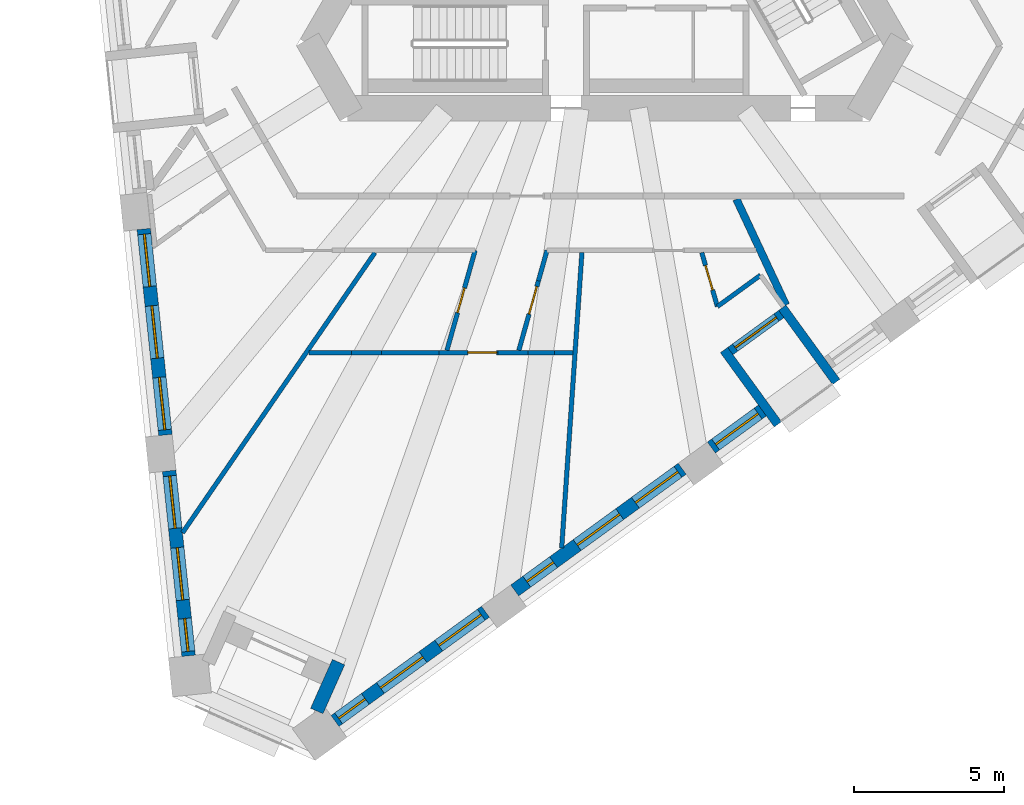
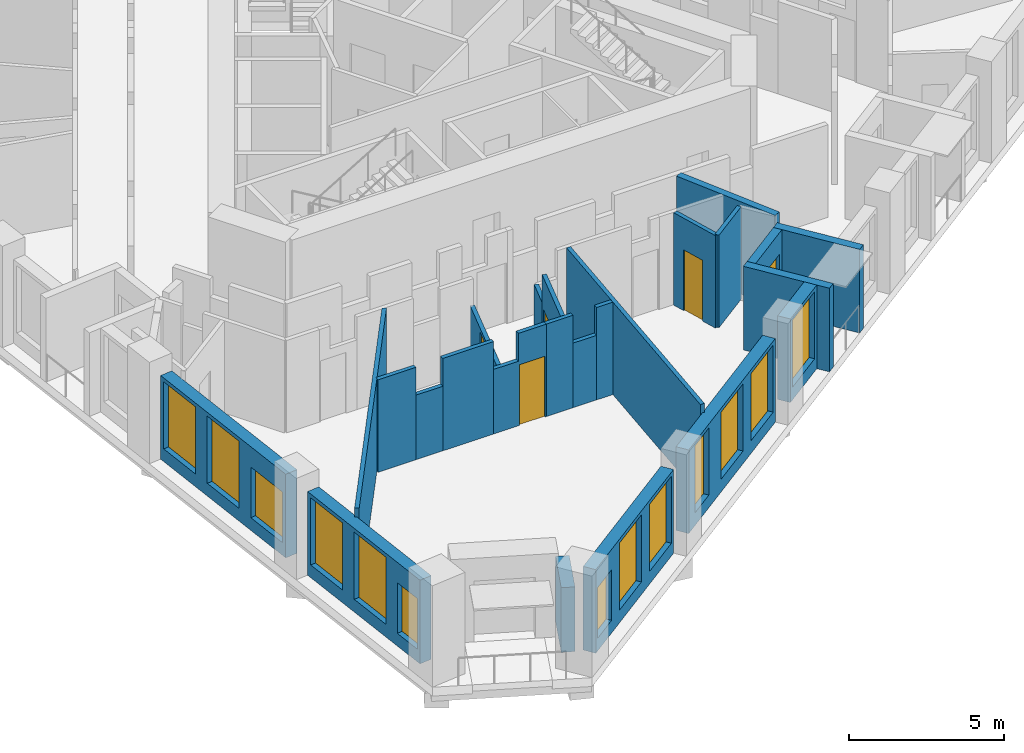
# One storey, part 2 of 14: 24 walls, 13 windows, 5 doors, 18 openings.
"""IFC4 building model written with IfcOpenShell, lengths in metres."""

import ifcopenshell
import ifcopenshell.guid

model = None  # the IFC model being written
_history = None  # IfcOwnerHistory: only IFC2X3 demands one
_inside = {}  # id of a spatial element -> (the spatial element, [elements in it])
_under = {}  # id of a project, library or spatial element -> (it, [spatial elements below it])
_declared = {}  # id of a project -> (the project, [libraries it declares])
_typed = {}  # id of a type object -> (the type object, [elements of that type])
_made_of = {}  # id of a material, layer set ... -> (it, [elements and type objects made of it])


def new_model(schema):
    """Start an empty IFC model of exactly this schema.

    Asked for "IFC4X3", IfcOpenShell would pick the latest addendum, in which some entities
    have other attributes; the version numbers below select the first issue.
    IFC2X3 requires an IfcOwnerHistory on every rooted entity: one is made here for all.
    """
    global model, _history
    if schema == "IFC4X3":
        model = ifcopenshell.file(schema_version=(4, 3, 0, 0))
    else:
        model = ifcopenshell.file(schema=schema)
    _inside.clear()
    _under.clear()
    _declared.clear()
    _typed.clear()
    _made_of.clear()
    _history = None
    if model.schema == "IFC2X3":
        org = make("IfcOrganization", Name="unknown")
        user = make(
            "IfcPersonAndOrganization",
            ThePerson=make("IfcPerson", FamilyName="unknown"),
            TheOrganization=org,
        )
        app = make(
            "IfcApplication",
            ApplicationDeveloper=org,
            Version="unknown",
            ApplicationFullName="unknown",
            ApplicationIdentifier="unknown",
        )
        _history = make(
            "IfcOwnerHistory",
            OwningUser=user,
            OwningApplication=app,
            ChangeAction="ADDED",
            CreationDate=0,
        )
    return model


def make(cls, **values):
    """One entity of the class cls with the attributes given. An attribute that is None is left unset."""
    return model.create_entity(
        cls, **{name: value for name, value in values.items() if value is not None}
    )


def rooted(cls, **values):
    """An entity with a GlobalId (a new one), such as an element, a storey or a relation."""
    return make(cls, GlobalId=ifcopenshell.guid.new(), OwnerHistory=_history, **values)


def si_unit(unit_type, name, prefix=None):
    """IfcSIUnit, for example si_unit("LENGTHUNIT", "METRE", prefix="MILLI")."""
    return make("IfcSIUnit", UnitType=unit_type, Prefix=prefix, Name=name)


def assignment(units):
    """IfcUnitAssignment: the units of a project."""
    return None if units is None else make("IfcUnitAssignment", Units=units)


def point(xyz):
    """IfcCartesianPoint."""
    return None if xyz is None else make("IfcCartesianPoint", Coordinates=xyz)


def direction(xyz):
    """IfcDirection."""
    return None if xyz is None else make("IfcDirection", DirectionRatios=xyz)


def frame(location, z_axis=None, x_axis=None):
    """IfcAxis2Placement3D, a coordinate frame: its origin and axes. An axis left out is left unset."""
    return make(
        "IfcAxis2Placement3D",
        Location=point(location),
        Axis=direction(z_axis),
        RefDirection=direction(x_axis),
    )


def frame_2d(location, x_axis=None):
    """IfcAxis2Placement2D, a coordinate frame in the plane: its origin and x axis."""
    return make(
        "IfcAxis2Placement2D", Location=point(location), RefDirection=direction(x_axis)
    )


def origin():
    """The frame at (0, 0, 0) with its axes left unset."""
    return frame((0.0, 0.0, 0.0))


def place(relative_to, where):
    """IfcLocalPlacement: puts the frame where relative to a parent placement (None: the world)."""
    return make(
        "IfcLocalPlacement", PlacementRelTo=relative_to, RelativePlacement=where
    )


def context(
    kind, dimensions, precision=None, world=None, true_north=None, identifier=None
):
    """IfcGeometricRepresentationContext, for example the 3D "Model" context."""
    return make(
        "IfcGeometricRepresentationContext",
        ContextIdentifier=identifier,
        ContextType=kind,
        CoordinateSpaceDimension=dimensions,
        Precision=precision,
        WorldCoordinateSystem=world,
        TrueNorth=true_north,
    )


def subcontext(parent, identifier, kind, view, scale=None):
    """IfcGeometricRepresentationSubContext, for example "Body" below "Model"."""
    return make(
        "IfcGeometricRepresentationSubContext",
        ContextIdentifier=identifier,
        ContextType=kind,
        ParentContext=parent,
        TargetScale=scale,
        TargetView=view,
    )


def project(units=None, contexts=None):
    """IfcProject with its units and contexts."""
    return rooted(
        "IfcProject",
        Name="project",
        RepresentationContexts=contexts,
        UnitsInContext=assignment(units),
    )


def spatial(cls, under=None, at=None, **own):
    """A site, building, storey or space (cls), placed at a placement, below another one or the project."""
    s = rooted(cls, ObjectPlacement=at, **own)
    if under is not None:
        _under.setdefault(under.id(), (under, []))[1].append(s)
    return s


def polyline(points):
    """IfcPolyline through the points."""
    return make("IfcPolyline", Points=[point(p) for p in points])


def profile(cls, at=None, kind="AREA", **sizes):
    """A parametric profile (cls). Its sizes go by their IFC names, for example OverallWidth=200.0."""
    return make(cls, ProfileType=kind, Position=at, **sizes)


def rectangle(**sizes):
    """IfcRectangleProfileDef."""
    return profile("IfcRectangleProfileDef", **sizes)


def outline(outer, holes=None, kind="AREA"):
    """IfcArbitraryClosedProfileDef: a profile drawn as a closed curve; with holes, ...WithVoids."""
    if holes is None:
        return make("IfcArbitraryClosedProfileDef", ProfileType=kind, OuterCurve=outer)
    return make(
        "IfcArbitraryProfileDefWithVoids",
        ProfileType=kind,
        OuterCurve=outer,
        InnerCurves=holes,
    )


def extrude(swept, where, along, depth):
    """IfcExtrudedAreaSolid: the profile swept, set in the frame where, extruded along a direction by depth."""
    return make(
        "IfcExtrudedAreaSolid",
        SweptArea=swept,
        Position=where,
        ExtrudedDirection=direction(along),
        Depth=depth,
    )


def shape(context_of_items, identifier, shape_type, items):
    """IfcShapeRepresentation: the items that make up one representation, for example the "Body"."""
    return make(
        "IfcShapeRepresentation",
        ContextOfItems=context_of_items,
        RepresentationIdentifier=identifier,
        RepresentationType=shape_type,
        Items=items,
    )


def material(Name=None, Category=None):
    """IfcMaterial."""
    return make("IfcMaterial", Name=Name, Category=Category)


def layer(
    of_material, thickness, ventilated=None, Name=None, Category=None, Priority=None
):
    """IfcMaterialLayer: one layer of a wall or slab, of a material (None: an air gap)."""
    return make(
        "IfcMaterialLayer",
        Material=of_material,
        LayerThickness=thickness,
        IsVentilated=ventilated,
        Name=Name,
        Category=Category,
        Priority=Priority,
    )


def layer_set(layers, Name=None):
    """IfcMaterialLayerSet."""
    return make("IfcMaterialLayerSet", MaterialLayers=layers, LayerSetName=Name)


def made_of(thing, what):
    """Note that an element or type object is made of a material, layer set ...; save() writes the relation."""
    if what is not None:
        _made_of.setdefault(what.id(), (what, []))[1].append(thing)
    return thing


def type_object(cls, material=None, **own):
    """A type object (cls), such as IfcWallType, which elements share."""
    return made_of(rooted(cls, **own), material)


def element(
    cls,
    number,
    at=None,
    inside=None,
    cuts=None,
    type_object=None,
    material=None,
    context=None,
    identifier="Body",
    shape_type=None,
    held_by="IfcProductDefinitionShape",
    body=None,
    shapes=None,
    **own,
):
    """One element of the class cls, such as IfcWall. Its Tag is "e" and its number.

    at: its placement. inside: the storey or other place that contains it. cuts: it is an
    opening in that element (IfcRelVoidsElement). A single representation is given by context,
    identifier, shape_type and body (its items); several are given by shapes. held_by: the class
    of the entity that holds the representations. save() writes the other relations.
    """
    e = rooted(cls, Tag="e%d" % number, ObjectPlacement=at, **own)
    if body is not None:
        shapes = [shape(context, identifier, shape_type, body)]
    if shapes is not None:
        e.Representation = make(held_by, Representations=shapes)
    if inside is not None:
        _inside.setdefault(inside.id(), (inside, []))[1].append(e)
    if cuts is not None:
        rooted(
            "IfcRelVoidsElement", RelatingBuildingElement=cuts, RelatedOpeningElement=e
        )
    if type_object is not None:
        _typed.setdefault(type_object.id(), (type_object, []))[1].append(e)
    return made_of(e, material)


def fill(opening, filler):
    """IfcRelFillsElement: the door or window that sits in an opening."""
    return rooted(
        "IfcRelFillsElement",
        RelatingOpeningElement=opening,
        RelatedBuildingElement=filler,
    )


def aggregate(whole, parts):
    """IfcRelAggregates: a whole, such as a stair, and the parts it consists of."""
    return rooted("IfcRelAggregates", RelatingObject=whole, RelatedObjects=parts)


def save(model, path):
    """Write the relations noted so far, then the file.

    IfcRelAggregates (storeys below a building ...), IfcRelContainedInSpatialStructure (elements
    in a storey), IfcRelDefinesByType, IfcRelAssociatesMaterial and IfcRelDeclares: one each for
    every whole, place, type object, material and project.
    """
    for whole, parts in _under.values():
        aggregate(whole, parts)
    for where, things in _inside.values():
        rooted(
            "IfcRelContainedInSpatialStructure",
            RelatedElements=things,
            RelatingStructure=where,
        )
    for kind, things in _typed.values():
        rooted("IfcRelDefinesByType", RelatedObjects=things, RelatingType=kind)
    for what, things in _made_of.values():
        rooted("IfcRelAssociatesMaterial", RelatedObjects=things, RelatingMaterial=what)
    for by, libraries in _declared.values():
        rooted("IfcRelDeclares", RelatingContext=by, RelatedDefinitions=libraries)
    model.write(path)


model = new_model("IFC4")

# Units and contexts
model_context = context("Model", 3, precision=1e-05, world=origin(), true_north=direction((0.0, 1.0)))
body_context = subcontext(model_context, "Body", "Model", "MODEL_VIEW")
ifc_project = project(units=[si_unit("LENGTHUNIT", "METRE"), si_unit("AREAUNIT", "SQUARE_METRE"), si_unit("VOLUMEUNIT", "CUBIC_METRE"), si_unit("PLANEANGLEUNIT", "RADIAN"), si_unit("MASSUNIT", "GRAM", prefix="KILO")], contexts=[model_context])

# Site, building, storey
site_placement = place(None, origin())
site = spatial("IfcSite", under=ifc_project, at=site_placement, CompositionType="ELEMENT")
building_placement = place(site_placement, origin())
building = spatial("IfcBuilding", under=site, at=building_placement, Name="Tramontana Tower", CompositionType="ELEMENT")
storey_placement = place(building_placement, frame((0.0, 0.0, 182.800048828125)))
storey = spatial("IfcBuildingStorey", under=building, at=storey_placement, Name="L42", CompositionType="ELEMENT", Elevation=182.800048828125)

# Wall, openings, windows
ifc_material_1 = material(Name="Precast concrete 60 MPa", Category="concrete")
ifc_layer_1 = layer(ifc_material_1, 0.449951171875)
ifc_layer_set_1 = layer_set([ifc_layer_1], Name="Precast concrete 60 MPa, 450 mm")
wall_type_1 = type_object("IfcWallType", Name="EW1 Stone-faced precast wall 450", PredefinedType="SOLIDWALL", material=ifc_layer_set_1)
wall_1_placement = place(storey_placement, frame((-15.327880859375, -10.341796875, 0.0), z_axis=(0.0, 0.0, 1.0), x_axis=(0.104531531326, -0.994521572898, 0.0)))
wall_1 = element("IfcWall", 1, at=wall_1_placement, inside=storey, type_object=wall_type_1, Name="External wall L42 face 0 bay 5", PredefinedType="SOLIDWALL", context=body_context, shape_type="SweptSolid", body=[
    extrude(rectangle(XDim=6.8828125, YDim=0.449951171875, at=frame_2d((3.44140625, 0.0))), origin(), (0.0, 0.0, 1.0), 3.300048828125),
])
opening_1_placement = place(wall_1_placement, frame((0.172119140625, 0.0, 0.5)))
opening_1 = element("IfcOpeningElement", 2, at=opening_1_placement, cuts=wall_1, Name="Opening M2", PredefinedType="OPENING", context=body_context, shape_type="SweptSolid", body=[
    extrude(rectangle(XDim=1.75, YDim=2.64990234375, at=frame_2d((0.875, 1.324951171875))), frame((0.0, 0.23486328125, 0.0), z_axis=(0.0, -1.0, 0.0), x_axis=(1.0, 0.0, 0.0)), (0.0, 0.0, 1.0), 0.469970703125),
])
opening_2_placement = place(wall_1_placement, frame((2.56640625, 0.0, 0.5)))
opening_2 = element("IfcOpeningElement", 3, at=opening_2_placement, cuts=wall_1, Name="Opening M2", PredefinedType="OPENING", context=body_context, shape_type="SweptSolid", body=[
    extrude(rectangle(XDim=1.75, YDim=2.64990234375, at=frame_2d((0.875, 1.324951171875))), frame((0.0, 0.23486328125, 0.0), z_axis=(0.0, -1.0, 0.0), x_axis=(1.0, 0.0, 0.0)), (0.0, 0.0, 1.0), 0.469970703125),
])
opening_3_placement = place(wall_1_placement, frame((4.960693359375, 0.0, 0.5)))
opening_3 = element("IfcOpeningElement", 4, at=opening_3_placement, cuts=wall_1, Name="Opening M2L", PredefinedType="OPENING", context=body_context, shape_type="SweptSolid", body=[
    extrude(rectangle(XDim=1.75, YDim=2.0, at=frame_2d((0.875, 1.0))), frame((0.0, 0.23486328125, 0.0), z_axis=(0.0, -1.0, 0.0), x_axis=(1.0, 0.0, 0.0)), (0.0, 0.0, 1.0), 0.469970703125),
])
ifc_material_2 = material(Name="Aluminum frame, double glazing unit", Category="aluminium")
window_type_1 = type_object("IfcWindowType", Name="M2 Window 1.75 x 2.65", PartitioningType="SINGLE_PANEL", PredefinedType="WINDOW", material=ifc_material_2)
window_1_placement = place(opening_1_placement, origin())
window_1 = element("IfcWindow", 5, at=window_1_placement, inside=storey, type_object=window_type_1, Name="Window M2 L42 face 0 module 13", OverallHeight=2.64990234375, OverallWidth=1.75, PartitioningType="SINGLE_PANEL", PredefinedType="WINDOW", context=body_context, shape_type="SweptSolid", body=[
    extrude(rectangle(XDim=1.75, YDim=2.64990234375, at=frame_2d((0.875, 1.324951171875))), frame((0.0, 0.030029296875, 0.0), z_axis=(0.0, -1.0, 0.0), x_axis=(1.0, 0.0, 0.0)), (0.0, 0.0, 1.0), 0.06005859375),
])
fill(opening_1, window_1)
window_2_placement = place(opening_2_placement, origin())
window_2 = element("IfcWindow", 6, at=window_2_placement, inside=storey, type_object=window_type_1, Name="Window M2 L42 face 0 module 14", OverallHeight=2.64990234375, OverallWidth=1.75, PartitioningType="SINGLE_PANEL", PredefinedType="WINDOW", context=body_context, shape_type="SweptSolid", body=[
    extrude(rectangle(XDim=1.75, YDim=2.64990234375, at=frame_2d((0.875, 1.324951171875))), frame((0.0, 0.030029296875, 0.0), z_axis=(0.0, -1.0, 0.0), x_axis=(1.0, 0.0, 0.0)), (0.0, 0.0, 1.0), 0.06005859375),
])
fill(opening_2, window_2)
ifc_material_3 = material(Name="Aluminum frame, double glazing unit", Category="aluminium")
window_type_2 = type_object("IfcWindowType", Name="M2L Window 1.75 x 2", PartitioningType="SINGLE_PANEL", PredefinedType="WINDOW", material=ifc_material_3)
window_3_placement = place(opening_3_placement, origin())
window_3 = element("IfcWindow", 7, at=window_3_placement, inside=storey, type_object=window_type_2, Name="Window M2L L42 face 0 module 15", OverallHeight=2.0, OverallWidth=1.75, PartitioningType="SINGLE_PANEL", PredefinedType="WINDOW", context=body_context, shape_type="SweptSolid", body=[
    extrude(rectangle(XDim=1.75, YDim=2.0, at=frame_2d((0.875, 1.0))), frame((0.0, 0.030029296875, 0.0), z_axis=(0.0, -1.0, 0.0), x_axis=(1.0, 0.0, 0.0)), (0.0, 0.0, 1.0), 0.06005859375),
])
fill(opening_3, window_3)

wall_2_placement = place(storey_placement, frame((-14.483154296875, -18.38037109375, 0.0), z_axis=(0.0, 0.0, 1.0), x_axis=(0.104557348575, -0.994518858976, 0.0)))
wall_2 = element("IfcWall", 8, at=wall_2_placement, inside=storey, type_object=wall_type_1, Name="External wall L42 face 0 bay 6", PredefinedType="SOLIDWALL", context=body_context, shape_type="SweptSolid", body=[
    extrude(rectangle(XDim=6.18310546875, YDim=0.449951171875, at=frame_2d((3.091552734375, 0.0))), origin(), (0.0, 0.0, 1.0), 3.300048828125),
])
opening_4_placement = place(wall_2_placement, frame((0.172119140625, 0.0, 0.5)))
opening_4 = element("IfcOpeningElement", 9, at=opening_4_placement, cuts=wall_2, Name="Opening M2", PredefinedType="OPENING", context=body_context, shape_type="SweptSolid", body=[
    extrude(rectangle(XDim=1.75, YDim=2.64990234375, at=frame_2d((0.875, 1.324951171875))), frame((0.0, 0.23486328125, 0.0), z_axis=(0.0, -1.0, 0.0), x_axis=(1.0, 0.0, 0.0)), (0.0, 0.0, 1.0), 0.469970703125),
])
opening_5_placement = place(wall_2_placement, frame((2.56640625, 0.0, 0.5)))
opening_5 = element("IfcOpeningElement", 10, at=opening_5_placement, cuts=wall_2, Name="Opening M2", PredefinedType="OPENING", context=body_context, shape_type="SweptSolid", body=[
    extrude(rectangle(XDim=1.75, YDim=2.64990234375, at=frame_2d((0.875, 1.324951171875))), frame((0.0, 0.23486328125, 0.0), z_axis=(0.0, -1.0, 0.0), x_axis=(1.0, 0.0, 0.0)), (0.0, 0.0, 1.0), 0.469970703125),
])
opening_6_placement = place(wall_2_placement, frame((4.935791015625, 0.0, 0.5)))
opening_6 = element("IfcOpeningElement", 11, at=opening_6_placement, cuts=wall_2, Name="Opening N2L", PredefinedType="OPENING", context=body_context, shape_type="SweptSolid", body=[
    extrude(rectangle(XDim=1.10009765625, YDim=2.0, at=frame_2d((0.550048828125, 1.0))), frame((0.0, 0.23486328125, 0.0), z_axis=(0.0, -1.0, 0.0), x_axis=(1.0, 0.0, 0.0)), (0.0, 0.0, 1.0), 0.469970703125),
])
window_4_placement = place(opening_4_placement, origin())
window_4 = element("IfcWindow", 12, at=window_4_placement, inside=storey, type_object=window_type_1, Name="Window M2 L42 face 0 module 16", OverallHeight=2.64990234375, OverallWidth=1.75, PartitioningType="SINGLE_PANEL", PredefinedType="WINDOW", context=body_context, shape_type="SweptSolid", body=[
    extrude(rectangle(XDim=1.75, YDim=2.64990234375, at=frame_2d((0.875, 1.324951171875))), frame((0.0, 0.030029296875, 0.0), z_axis=(0.0, -1.0, 0.0), x_axis=(1.0, 0.0, 0.0)), (0.0, 0.0, 1.0), 0.06005859375),
])
fill(opening_4, window_4)
window_5_placement = place(opening_5_placement, origin())
window_5 = element("IfcWindow", 13, at=window_5_placement, inside=storey, type_object=window_type_1, Name="Window M2 L42 face 0 module 17", OverallHeight=2.64990234375, OverallWidth=1.75, PartitioningType="SINGLE_PANEL", PredefinedType="WINDOW", context=body_context, shape_type="SweptSolid", body=[
    extrude(rectangle(XDim=1.75, YDim=2.64990234375, at=frame_2d((0.875, 1.324951171875))), frame((0.0, 0.030029296875, 0.0), z_axis=(0.0, -1.0, 0.0), x_axis=(1.0, 0.0, 0.0)), (0.0, 0.0, 1.0), 0.06005859375),
])
fill(opening_5, window_5)
ifc_material_4 = material(Name="Aluminum frame, double glazing unit", Category="aluminium")
window_type_3 = type_object("IfcWindowType", Name="N2L Window 1.1 x 2", PartitioningType="SINGLE_PANEL", PredefinedType="WINDOW", material=ifc_material_4)
window_6_placement = place(opening_6_placement, origin())
window_6 = element("IfcWindow", 14, at=window_6_placement, inside=storey, type_object=window_type_3, Name="Window N2L L42 face 0 module 18", OverallHeight=2.0, OverallWidth=1.10009765625, PartitioningType="SINGLE_PANEL", PredefinedType="WINDOW", context=body_context, shape_type="SweptSolid", body=[
    extrude(rectangle(XDim=1.10009765625, YDim=2.0, at=frame_2d((0.550048828125, 1.0))), frame((0.0, 0.030029296875, 0.0), z_axis=(0.0, -1.0, 0.0), x_axis=(1.0, 0.0, 0.0)), (0.0, 0.0, 1.0), 0.06005859375),
])
fill(opening_6, window_6)

wall_3_placement = place(storey_placement, frame((-8.97021484375, -26.696044921875, 0.0), z_axis=(0.0, 0.0, 1.0), x_axis=(0.809024567544, 0.587774828578, 0.0)))
wall_3 = element("IfcWall", 15, at=wall_3_placement, inside=storey, type_object=wall_type_1, Name="External wall L42 face 1 bay 1", PredefinedType="SOLIDWALL", context=body_context, shape_type="SweptSolid", body=[
    extrude(rectangle(XDim=6.1826171875, YDim=0.449951171875, at=frame_2d((3.09130859375, 0.0))), origin(), (0.0, 0.0, 1.0), 3.300048828125),
])
opening_7_placement = place(wall_3_placement, frame((0.147216796875, 0.0, 0.5)))
opening_7 = element("IfcOpeningElement", 16, at=opening_7_placement, cuts=wall_3, Name="Opening N2L", PredefinedType="OPENING", context=body_context, shape_type="SweptSolid", body=[
    extrude(rectangle(XDim=1.10009765625, YDim=2.0, at=frame_2d((0.550048828125, 1.0))), frame((0.0, 0.23486328125, 0.0), z_axis=(0.0, -1.0, 0.0), x_axis=(1.0, 0.0, 0.0)), (0.0, 0.0, 1.0), 0.469970703125),
])
opening_8_placement = place(wall_3_placement, frame((1.866455078125, 0.0, 0.5)))
opening_8 = element("IfcOpeningElement", 17, at=opening_8_placement, cuts=wall_3, Name="Opening M2", PredefinedType="OPENING", context=body_context, shape_type="SweptSolid", body=[
    extrude(rectangle(XDim=1.75, YDim=2.64990234375, at=frame_2d((0.875, 1.324951171875))), frame((0.0, 0.23486328125, 0.0), z_axis=(0.0, -1.0, 0.0), x_axis=(1.0, 0.0, 0.0)), (0.0, 0.0, 1.0), 0.469970703125),
])
opening_9_placement = place(wall_3_placement, frame((4.2607421875, 0.0, 0.5)))
opening_9 = element("IfcOpeningElement", 18, at=opening_9_placement, cuts=wall_3, Name="Opening M2", PredefinedType="OPENING", context=body_context, shape_type="SweptSolid", body=[
    extrude(rectangle(XDim=1.75, YDim=2.64990234375, at=frame_2d((0.875, 1.324951171875))), frame((0.0, 0.23486328125, 0.0), z_axis=(0.0, -1.0, 0.0), x_axis=(1.0, 0.0, 0.0)), (0.0, 0.0, 1.0), 0.469970703125),
])
window_7_placement = place(opening_8_placement, origin())
window_7 = element("IfcWindow", 19, at=window_7_placement, inside=storey, type_object=window_type_1, Name="Window M2 L42 face 1 module 2", OverallHeight=2.64990234375, OverallWidth=1.75, PartitioningType="SINGLE_PANEL", PredefinedType="WINDOW", context=body_context, shape_type="SweptSolid", body=[
    extrude(rectangle(XDim=1.75, YDim=2.64990234375, at=frame_2d((0.875, 1.324951171875))), frame((0.0, 0.030029296875, 0.0), z_axis=(0.0, -1.0, 0.0), x_axis=(1.0, 0.0, 0.0)), (0.0, 0.0, 1.0), 0.06005859375),
])
fill(opening_8, window_7)
window_8_placement = place(opening_9_placement, origin())
window_8 = element("IfcWindow", 20, at=window_8_placement, inside=storey, type_object=window_type_1, Name="Window M2 L42 face 1 module 3", OverallHeight=2.64990234375, OverallWidth=1.75, PartitioningType="SINGLE_PANEL", PredefinedType="WINDOW", context=body_context, shape_type="SweptSolid", body=[
    extrude(rectangle(XDim=1.75, YDim=2.64990234375, at=frame_2d((0.875, 1.324951171875))), frame((0.0, 0.030029296875, 0.0), z_axis=(0.0, -1.0, 0.0), x_axis=(1.0, 0.0, 0.0)), (0.0, 0.0, 1.0), 0.06005859375),
])
fill(opening_9, window_8)
window_9_placement = place(opening_7_placement, origin())
window_9 = element("IfcWindow", 21, at=window_9_placement, inside=storey, type_object=window_type_3, Name="Window N2L L42 face 1 module 1", OverallHeight=2.0, OverallWidth=1.10009765625, PartitioningType="SINGLE_PANEL", PredefinedType="WINDOW", context=body_context, shape_type="SweptSolid", body=[
    extrude(rectangle(XDim=1.10009765625, YDim=2.0, at=frame_2d((0.550048828125, 1.0))), frame((0.0, 0.030029296875, 0.0), z_axis=(0.0, -1.0, 0.0), x_axis=(1.0, 0.0, 0.0)), (0.0, 0.0, 1.0), 0.06005859375),
])
fill(opening_7, window_9)

wall_4_placement = place(storey_placement, frame((-2.997314453125, -22.3564453125, 0.0), z_axis=(0.0, 0.0, 1.0), x_axis=(0.809016690404, 0.587785670672, 0.0)))
wall_4 = element("IfcWall", 22, at=wall_4_placement, inside=storey, type_object=wall_type_1, Name="External wall L42 face 1 bay 2", PredefinedType="SOLIDWALL", context=body_context, shape_type="SweptSolid", body=[
    extrude(rectangle(XDim=6.8828125, YDim=0.449951171875, at=frame_2d((3.44140625, 0.0))), origin(), (0.0, 0.0, 1.0), 3.300048828125),
])
opening_10_placement = place(wall_4_placement, frame((0.4970703125, 0.0, 0.5)))
opening_10 = element("IfcOpeningElement", 23, at=opening_10_placement, cuts=wall_4, Name="Opening N2", PredefinedType="OPENING", context=body_context, shape_type="SweptSolid", body=[
    extrude(rectangle(XDim=1.10009765625, YDim=2.64990234375, at=frame_2d((0.550048828125, 1.324951171875))), frame((0.0, 0.23486328125, 0.0), z_axis=(0.0, -1.0, 0.0), x_axis=(1.0, 0.0, 0.0)), (0.0, 0.0, 1.0), 0.469970703125),
])
opening_11_placement = place(wall_4_placement, frame((2.56640625, 0.0, 0.5)))
opening_11 = element("IfcOpeningElement", 24, at=opening_11_placement, cuts=wall_4, Name="Opening M2", PredefinedType="OPENING", context=body_context, shape_type="SweptSolid", body=[
    extrude(rectangle(XDim=1.75, YDim=2.64990234375, at=frame_2d((0.875, 1.324951171875))), frame((0.0, 0.23486328125, 0.0), z_axis=(0.0, -1.0, 0.0), x_axis=(1.0, 0.0, 0.0)), (0.0, 0.0, 1.0), 0.469970703125),
])
opening_12_placement = place(wall_4_placement, frame((4.960693359375, 0.0, 0.5)))
opening_12 = element("IfcOpeningElement", 25, at=opening_12_placement, cuts=wall_4, Name="Opening M2", PredefinedType="OPENING", context=body_context, shape_type="SweptSolid", body=[
    extrude(rectangle(XDim=1.75, YDim=2.64990234375, at=frame_2d((0.875, 1.324951171875))), frame((0.0, 0.23486328125, 0.0), z_axis=(0.0, -1.0, 0.0), x_axis=(1.0, 0.0, 0.0)), (0.0, 0.0, 1.0), 0.469970703125),
])
window_10_placement = place(opening_11_placement, origin())
window_10 = element("IfcWindow", 26, at=window_10_placement, inside=storey, type_object=window_type_1, Name="Window M2 L42 face 1 module 5", OverallHeight=2.64990234375, OverallWidth=1.75, PartitioningType="SINGLE_PANEL", PredefinedType="WINDOW", context=body_context, shape_type="SweptSolid", body=[
    extrude(rectangle(XDim=1.75, YDim=2.64990234375, at=frame_2d((0.875, 1.324951171875))), frame((0.0, 0.030029296875, 0.0), z_axis=(0.0, -1.0, 0.0), x_axis=(1.0, 0.0, 0.0)), (0.0, 0.0, 1.0), 0.06005859375),
])
fill(opening_11, window_10)
window_11_placement = place(opening_12_placement, origin())
window_11 = element("IfcWindow", 27, at=window_11_placement, inside=storey, type_object=window_type_1, Name="Window M2 L42 face 1 module 6", OverallHeight=2.64990234375, OverallWidth=1.75, PartitioningType="SINGLE_PANEL", PredefinedType="WINDOW", context=body_context, shape_type="SweptSolid", body=[
    extrude(rectangle(XDim=1.75, YDim=2.64990234375, at=frame_2d((0.875, 1.324951171875))), frame((0.0, 0.030029296875, 0.0), z_axis=(0.0, -1.0, 0.0), x_axis=(1.0, 0.0, 0.0)), (0.0, 0.0, 1.0), 0.06005859375),
])
fill(opening_12, window_11)
ifc_material_5 = material(Name="Aluminum frame, double glazing unit", Category="aluminium")
window_type_4 = type_object("IfcWindowType", Name="N2 Window 1.1 x 2.65", PartitioningType="SINGLE_PANEL", PredefinedType="WINDOW", material=ifc_material_5)
window_12_placement = place(opening_10_placement, origin())
window_12 = element("IfcWindow", 28, at=window_12_placement, inside=storey, type_object=window_type_4, Name="Window N2 L42 face 1 module 4", OverallHeight=2.64990234375, OverallWidth=1.10009765625, PartitioningType="SINGLE_PANEL", PredefinedType="WINDOW", context=body_context, shape_type="SweptSolid", body=[
    extrude(rectangle(XDim=1.10009765625, YDim=2.64990234375, at=frame_2d((0.550048828125, 1.324951171875))), frame((0.0, 0.030029296875, 0.0), z_axis=(0.0, -1.0, 0.0), x_axis=(1.0, 0.0, 0.0)), (0.0, 0.0, 1.0), 0.06005859375),
])
fill(opening_10, window_12)

# Wall, opening, window
wall_5_placement = place(storey_placement, frame((3.541748046875, -17.60546875, 0.0), z_axis=(0.0, 0.0, 1.0), x_axis=(0.809028366311, 0.587769599847, 0.0)))
wall_5 = element("IfcWall", 29, at=wall_5_placement, inside=storey, type_object=wall_type_1, Name="External wall L42 face 1 bay 3", PredefinedType="SOLIDWALL", context=body_context, shape_type="SweptSolid", body=[
    extrude(rectangle(XDim=2.09423828125, YDim=0.449951171875, at=frame_2d((1.047119140625, 0.0))), origin(), (0.0, 0.0, 1.0), 3.300048828125),
])
opening_13_placement = place(wall_5_placement, frame((0.172119140625, 0.0, 0.5)))
opening_13 = element("IfcOpeningElement", 30, at=opening_13_placement, cuts=wall_5, Name="Opening M2", PredefinedType="OPENING", context=body_context, shape_type="SweptSolid", body=[
    extrude(rectangle(XDim=1.75, YDim=2.64990234375, at=frame_2d((0.875, 1.324951171875))), frame((0.0, 0.23486328125, 0.0), z_axis=(0.0, -1.0, 0.0), x_axis=(1.0, 0.0, 0.0)), (0.0, 0.0, 1.0), 0.469970703125),
])
window_13_placement = place(opening_13_placement, origin())
window_13 = element("IfcWindow", 31, at=window_13_placement, inside=storey, type_object=window_type_1, Name="Window M2 L42 face 1 module 7", OverallHeight=2.64990234375, OverallWidth=1.75, PartitioningType="SINGLE_PANEL", PredefinedType="WINDOW", context=body_context, shape_type="SweptSolid", body=[
    extrude(rectangle(XDim=1.75, YDim=2.64990234375, at=frame_2d((0.875, 1.324951171875))), frame((0.0, 0.030029296875, 0.0), z_axis=(0.0, -1.0, 0.0), x_axis=(1.0, 0.0, 0.0)), (0.0, 0.0, 1.0), 0.06005859375),
])
fill(opening_13, window_13)

# Wall
wall_6_placement = place(storey_placement, frame((-9.575927734375, -26.363525390625, 0.0), z_axis=(0.0, 0.0, 1.0), x_axis=(0.406749543613, 0.913539713844, 0.0)))
element("IfcWall", 32, at=wall_6_placement, inside=storey, type_object=wall_type_1, Name="Corner loggia side wall L42 K41l", PredefinedType="SOLIDWALL", context=body_context, shape_type="SweptSolid", body=[
    extrude(rectangle(XDim=1.779052734375, YDim=0.449951171875, at=frame_2d((0.8896484375, 0.0))), origin(), (0.0, 0.0, 1.0), 2.550048828125),
])

# Wall, opening, door
ifc_material_6 = material(Name="Precast concrete 60 MPa", Category="concrete")
ifc_layer_2 = layer(ifc_material_6, 0.300048828125)
ifc_layer_set_2 = layer_set([ifc_layer_2], Name="LW1 Stone-faced loggia wall 300")
wall_type_2 = type_object("IfcWallType", Name="LW1 Stone-faced loggia wall 300", PredefinedType="SOLIDWALL", material=ifc_layer_set_2)
wall_7_placement = place(storey_placement, frame((4.1708984375, -14.398193359375, 0.0), z_axis=(0.0, 0.0, 1.0), x_axis=(0.809028366311, 0.587769599847, 0.0)))
wall_7 = element("IfcWall", 33, at=wall_7_placement, inside=storey, type_object=wall_type_2, Name="Loggia wall L42 G4S1.7", PredefinedType="SOLIDWALL", context=body_context, shape_type="SweptSolid", body=[
    extrude(rectangle(XDim=2.09423828125, YDim=0.300048828125, at=frame_2d((1.047119140625, 0.0))), origin(), (0.0, 0.0, 1.0), 3.300048828125),
])
opening_14_placement = place(wall_7_placement, frame((0.197265625, 0.0, 0.0)))
opening_14 = element("IfcOpeningElement", 34, at=opening_14_placement, cuts=wall_7, Name="Opening BD-4S1-07", PredefinedType="OPENING", context=body_context, shape_type="SweptSolid", body=[
    extrude(rectangle(XDim=1.699951171875, YDim=2.449951171875, at=frame_2d((0.85009765625, 1.22509765625))), frame((0.0, 0.159912109375, 0.0), z_axis=(0.0, -1.0, 0.0), x_axis=(1.0, 0.0, 0.0)), (0.0, 0.0, 1.0), 0.320068359375),
])
ifc_material_7 = material(Name="Aluminum frame, double glazing unit", Category="aluminium")
door_type_1 = type_object("IfcDoorType", Name="BD2 Sliding door 1.7 x 2.45", OperationType="SLIDING_TO_LEFT", PredefinedType="DOOR", material=ifc_material_7)
door_1_placement = place(opening_14_placement, origin())
door_1 = element("IfcDoor", 35, at=door_1_placement, inside=storey, type_object=door_type_1, Name="Loggia door L42 G4S1.7", OperationType="SLIDING_TO_LEFT", OverallHeight=2.449951171875, OverallWidth=1.699951171875, PredefinedType="DOOR", context=body_context, shape_type="SweptSolid", body=[
    extrude(rectangle(XDim=1.699951171875, YDim=2.449951171875, at=frame_2d((0.85009765625, 1.22509765625))), frame((0.0, 0.02490234375, 0.0), z_axis=(0.0, -1.0, 0.0), x_axis=(1.0, 0.0, 0.0)), (0.0, 0.0, 1.0), 0.050048828125),
])
fill(opening_14, door_1)

# Walls
for number, where, z_axis, x_axis, name in (
    (36, (5.754150390625, -16.83251953125, 0.0), (0.0, 0.0, 1.0), (-0.587776590479, 0.80902328748, 0.0), "Loggia return L42 G4S1.7a"),
    (37, (7.691162109375, -15.425048828125, 0.0), (0.0, 0.0, 1.0), (-0.587776590479, 0.80902328748, 0.0), "Loggia return L42 G4S1.7b"),
):
    element("IfcWall", number, at=place(storey_placement, frame(where, z_axis=z_axis, x_axis=x_axis)), inside=storey, type_object=wall_type_2, Name=name, PredefinedType="SOLIDWALL", context=body_context, shape_type="SweptSolid", body=[
        extrude(rectangle(XDim=3.050048828125, YDim=0.300048828125, at=frame_2d((1.52490234375, 0.0))), origin(), (0.0, 0.0, 1.0), 3.300048828125),
    ])
ifc_material_8 = material(Name="Gypsum board partition")
ifc_layer_3 = layer(ifc_material_8, 0.14990234375)
ifc_layer_set_3 = layer_set([ifc_layer_3], Name="PARTITION 150")
wall_type_3 = type_object("IfcWallType", Name="PARTITION 150", PredefinedType="PARTITIONING", material=ifc_layer_set_3)
wall_8_placement = place(storey_placement, frame((-14.040283203125, -20.439697265625, 0.0), z_axis=(0.0, 0.0, 1.0), x_axis=(0.566203282816, 0.824265638328, 0.0)))
element("IfcWall", 38, at=wall_8_placement, inside=storey, type_object=wall_type_3, Name="Wall v41-pw09", PredefinedType="PARTITIONING", context=body_context, shape_type="SweptSolid", body=[
    extrude(rectangle(XDim=11.300537109375, YDim=0.14990234375, at=frame_2d((5.650390625, 0.0))), origin(), (0.0, 0.0, 1.0), 3.64990234375),
])

# Wall, opening, door
wall_9_placement = place(storey_placement, frame((-5.24951171875, -14.375, 0.0), z_axis=(0.0, 0.0, 1.0), x_axis=(0.271508840807, 0.96243594559, 0.0)))
wall_9 = element("IfcWall", 39, at=wall_9_placement, inside=storey, type_object=wall_type_3, Name="Wall v41-pw21-0", PredefinedType="PARTITIONING", context=body_context, shape_type="SweptSolid", body=[
    extrude(rectangle(XDim=3.454833984375, YDim=0.14990234375, at=frame_2d((1.7275390625, 0.0))), origin(), (0.0, 0.0, 1.0), 2.550048828125),
])
opening_15_placement = place(wall_9_placement, frame((1.30224609375, 0.0, 0.0)))
opening_15 = element("IfcOpeningElement", 40, at=opening_15_placement, cuts=wall_9, Name="Opening B4B-09", PredefinedType="OPENING", context=body_context, shape_type="SweptSolid", body=[
    extrude(rectangle(XDim=0.85009765625, YDim=2.39990234375, at=frame_2d((0.425048828125, 1.199951171875))), frame((0.0, 0.0849609375, 0.0), z_axis=(0.0, -1.0, 0.0), x_axis=(1.0, 0.0, 0.0)), (0.0, 0.0, 1.0), 0.169921875),
])
ifc_material_9 = material(Name="Painted timber", Category="wood")
door_type_2 = type_object("IfcDoorType", Name="DOOR BATH 850", OperationType="SINGLE_SWING_LEFT", PredefinedType="DOOR", material=ifc_material_9)
door_2_placement = place(opening_15_placement, origin())
door_2 = element("IfcDoor", 41, at=door_2_placement, inside=storey, type_object=door_type_2, Name="Door B4B-09", OperationType="SINGLE_SWING_LEFT", OverallHeight=2.39990234375, OverallWidth=0.85009765625, PredefinedType="DOOR", context=body_context, shape_type="SweptSolid", body=[
    extrude(rectangle(XDim=0.85009765625, YDim=2.39990234375, at=frame_2d((0.425048828125, 1.199951171875))), frame((0.0, 0.02490234375, 0.0), z_axis=(0.0, -1.0, 0.0), x_axis=(1.0, 0.0, 0.0)), (0.0, 0.0, 1.0), 0.050048828125),
])
fill(opening_15, door_2)

# Wall
wall_10_placement = place(storey_placement, frame((-1.921875, -11.050048828125, 0.0), z_axis=(0.0, 0.0, 1.0), x_axis=(-0.271416161004, -0.96246208629, 0.0)))
element("IfcWall", 42, at=wall_10_placement, inside=storey, type_object=wall_type_3, Name="Wall v41-pw24-0", PredefinedType="PARTITIONING", context=body_context, shape_type="SweptSolid", body=[
    extrude(rectangle(XDim=1.05419921875, YDim=0.14990234375, at=frame_2d((0.527099609375, 0.0))), origin(), (0.0, 0.0, 1.0), 2.550048828125),
])

# Wall, opening, door
wall_11_placement = place(storey_placement, frame((-2.2080078125, -12.064697265625, 0.0), z_axis=(0.0, 0.0, 1.0), x_axis=(-0.271455333638, -0.962451038671, 0.0)))
wall_11 = element("IfcWall", 43, at=wall_11_placement, inside=storey, type_object=wall_type_3, Name="Wall v41-pw24-1", PredefinedType="PARTITIONING", context=body_context, shape_type="SweptSolid", body=[
    extrude(rectangle(XDim=2.400390625, YDim=0.14990234375, at=frame_2d((1.2001953125, 0.0))), origin(), (0.0, 0.0, 1.0), 3.64990234375),
])
opening_16_placement = place(wall_11_placement, frame((0.197998046875, 0.0, 0.0)))
opening_16 = element("IfcOpeningElement", 44, at=opening_16_placement, cuts=wall_11, Name="Opening B4B-08", PredefinedType="OPENING", context=body_context, shape_type="SweptSolid", body=[
    extrude(rectangle(XDim=0.949951171875, YDim=2.39990234375, at=frame_2d((0.47509765625, 1.199951171875))), frame((0.0, 0.0849609375, 0.0), z_axis=(0.0, -1.0, 0.0), x_axis=(1.0, 0.0, 0.0)), (0.0, 0.0, 1.0), 0.169921875),
])
ifc_material_10 = material(Name="Painted timber", Category="wood")
door_type_3 = type_object("IfcDoorType", Name="DOOR ROOM 950", OperationType="SINGLE_SWING_LEFT", PredefinedType="DOOR", material=ifc_material_10)
door_3_placement = place(opening_16_placement, origin())
door_3 = element("IfcDoor", 45, at=door_3_placement, inside=storey, type_object=door_type_3, Name="Door B4B-08", OperationType="SINGLE_SWING_RIGHT", OverallHeight=2.39990234375, OverallWidth=0.949951171875, PredefinedType="DOOR", context=body_context, shape_type="SweptSolid", body=[
    extrude(rectangle(XDim=0.949951171875, YDim=2.39990234375, at=frame_2d((0.47509765625, 1.199951171875))), frame((0.0, 0.02490234375, 0.0), z_axis=(0.0, -1.0, 0.0), x_axis=(1.0, 0.0, 0.0)), (0.0, 0.0, 1.0), 0.050048828125),
])
fill(opening_16, door_3)

# Walls
wall_12_placement = place(storey_placement, frame((-1.0654296875, -14.449951171875, 0.0), z_axis=(0.0, 0.0, 1.0), x_axis=(-1.0, 0.0, 0.0)))
element("IfcWall", 46, at=wall_12_placement, inside=storey, type_object=wall_type_3, Name="Wall v41-pw26-0", PredefinedType="PARTITIONING", context=body_context, shape_type="SweptSolid", body=[
    extrude(rectangle(XDim=0.607421875, YDim=0.14990234375, at=frame_2d((0.3037109375, 0.0))), origin(), (0.0, 0.0, 1.0), 3.64990234375),
])
wall_13_placement = place(storey_placement, frame((-1.6728515625, -14.449951171875, 0.0), z_axis=(0.0, 0.0, 1.0), x_axis=(-1.0, 0.0, 0.0)))
element("IfcWall", 47, at=wall_13_placement, inside=storey, type_object=wall_type_3, Name="Wall v41-pw26-1", PredefinedType="PARTITIONING", context=body_context, shape_type="SweptSolid", body=[
    extrude(rectangle(XDim=0.88427734375, YDim=0.14990234375, at=frame_2d((0.442138671875, 0.0))), origin(), (0.0, 0.0, 1.0), 2.550048828125),
])
wall_14_placement = place(storey_placement, frame((-2.55712890625, -14.449951171875, 0.0), z_axis=(0.0, 0.0, 1.0), x_axis=(-1.0, 0.0, 0.0)))
element("IfcWall", 48, at=wall_14_placement, inside=storey, type_object=wall_type_3, Name="Wall v41-pw26-2", PredefinedType="PARTITIONING", context=body_context, shape_type="SweptSolid", body=[
    extrude(rectangle(XDim=0.99365234375, YDim=0.14990234375, at=frame_2d((0.496826171875, 0.0))), origin(), (0.0, 0.0, 1.0), 3.64990234375),
])

# Wall, opening, door
wall_15_placement = place(storey_placement, frame((-3.55078125, -14.449951171875, 0.0), z_axis=(0.0, 0.0, 1.0), x_axis=(-1.0, 0.0, 0.0)))
wall_15 = element("IfcWall", 49, at=wall_15_placement, inside=storey, type_object=wall_type_3, Name="Wall v41-pw26-3", PredefinedType="PARTITIONING", context=body_context, shape_type="SweptSolid", body=[
    extrude(outline(polyline([(0.0, 0.0), (1.96875, 0.0), (1.96875, 2.550048828125), (1.041748046875, 2.550048828125), (1.041748046875, 3.64990234375), (0.0, 3.64990234375), (0.0, 0.0)])), frame((0.0, 0.074951171875, 0.0), z_axis=(0.0, -1.0, 0.0), x_axis=(1.0, 0.0, 0.0)), (0.0, 0.0, 1.0), 0.14990234375),
])
opening_17_placement = place(wall_15_placement, frame((0.050048828125, 0.0, 0.0)))
opening_17 = element("IfcOpeningElement", 50, at=opening_17_placement, cuts=wall_15, Name="Opening B4B-10", PredefinedType="OPENING", context=body_context, shape_type="SweptSolid", body=[
    extrude(rectangle(XDim=0.949951171875, YDim=2.39990234375, at=frame_2d((0.47509765625, 1.199951171875))), frame((0.0, 0.0849609375, 0.0), z_axis=(0.0, -1.0, 0.0), x_axis=(1.0, 0.0, 0.0)), (0.0, 0.0, 1.0), 0.169921875),
])
door_4_placement = place(opening_17_placement, origin())
door_4 = element("IfcDoor", 51, at=door_4_placement, inside=storey, type_object=door_type_3, Name="Door B4B-10", OperationType="SINGLE_SWING_RIGHT", OverallHeight=2.39990234375, OverallWidth=0.949951171875, PredefinedType="DOOR", context=body_context, shape_type="SweptSolid", body=[
    extrude(rectangle(XDim=0.949951171875, YDim=2.39990234375, at=frame_2d((0.47509765625, 1.199951171875))), frame((0.0, 0.02490234375, 0.0), z_axis=(0.0, -1.0, 0.0), x_axis=(1.0, 0.0, 0.0)), (0.0, 0.0, 1.0), 0.050048828125),
])
fill(opening_17, door_4)

# Walls
wall_16_placement = place(storey_placement, frame((-5.51953125, -14.449951171875, 0.0), z_axis=(0.0, 0.0, 1.0), x_axis=(-1.0, 0.0, 0.0)))
element("IfcWall", 52, at=wall_16_placement, inside=storey, type_object=wall_type_3, Name="Wall v41-pw26-4", PredefinedType="PARTITIONING", context=body_context, shape_type="SweptSolid", body=[
    extrude(rectangle(XDim=1.89794921875, YDim=0.14990234375, at=frame_2d((0.948974609375, 0.0))), origin(), (0.0, 0.0, 1.0), 3.64990234375),
])
wall_17_placement = place(storey_placement, frame((-7.41748046875, -14.449951171875, 0.0), z_axis=(0.0, 0.0, 1.0), x_axis=(-1.0, 0.0, 0.0)))
element("IfcWall", 53, at=wall_17_placement, inside=storey, type_object=wall_type_3, Name="Wall v41-pw26-5", PredefinedType="PARTITIONING", context=body_context, shape_type="SweptSolid", body=[
    extrude(rectangle(XDim=0.99755859375, YDim=0.14990234375, at=frame_2d((0.498779296875, 0.0))), origin(), (0.0, 0.0, 1.0), 2.550048828125),
])
wall_18_placement = place(storey_placement, frame((-8.4150390625, -14.449951171875, 0.0), z_axis=(0.0, 0.0, 1.0), x_axis=(-1.0, 0.0, 0.0)))
element("IfcWall", 54, at=wall_18_placement, inside=storey, type_object=wall_type_3, Name="Wall v41-pw26-6", PredefinedType="PARTITIONING", context=body_context, shape_type="SweptSolid", body=[
    extrude(rectangle(XDim=1.419921875, YDim=0.14990234375, at=frame_2d((0.7099609375, 0.0))), origin(), (0.0, 0.0, 1.0), 3.64990234375),
])
wall_19_placement = place(storey_placement, frame((-0.762451171875, -11.125, 0.0), z_axis=(0.0, 0.0, 1.0), x_axis=(-0.068367890485, -0.997660178393, 0.0)))
element("IfcWall", 55, at=wall_19_placement, inside=storey, type_object=wall_type_3, Name="Wall v41-pw28", PredefinedType="PARTITIONING", context=body_context, shape_type="SweptSolid", body=[
    extrude(rectangle(XDim=9.841552734375, YDim=0.14990234375, at=frame_2d((4.9208984375, 0.0))), origin(), (0.0, 0.0, 1.0), 3.64990234375),
])

# Wall, opening, door
wall_20_placement = place(storey_placement, frame((3.2216796875, -11.125, 0.0), z_axis=(0.0, 0.0, 1.0), x_axis=(0.278191455128, -0.960525644787, 0.0)))
wall_20 = element("IfcWall", 56, at=wall_20_placement, inside=storey, type_object=wall_type_3, Name="Wall v41-pw31", PredefinedType="PARTITIONING", context=body_context, shape_type="SweptSolid", body=[
    extrude(rectangle(XDim=1.86669921875, YDim=0.14990234375, at=frame_2d((0.933349609375, 0.0))), origin(), (0.0, 0.0, 1.0), 3.64990234375),
])
opening_18_placement = place(wall_20_placement, frame((0.446533203125, 0.0, 0.0)))
opening_18 = element("IfcOpeningElement", 57, at=opening_18_placement, cuts=wall_20, Name="Opening B4B-14", PredefinedType="OPENING", context=body_context, shape_type="SweptSolid", body=[
    extrude(rectangle(XDim=0.85009765625, YDim=2.39990234375, at=frame_2d((0.425048828125, 1.199951171875))), frame((0.0, 0.0849609375, 0.0), z_axis=(0.0, -1.0, 0.0), x_axis=(1.0, 0.0, 0.0)), (0.0, 0.0, 1.0), 0.169921875),
])
door_5_placement = place(opening_18_placement, origin())
door_5 = element("IfcDoor", 58, at=door_5_placement, inside=storey, type_object=door_type_2, Name="Door B4B-14", OperationType="SINGLE_SWING_RIGHT", OverallHeight=2.39990234375, OverallWidth=0.85009765625, PredefinedType="DOOR", context=body_context, shape_type="SweptSolid", body=[
    extrude(rectangle(XDim=0.85009765625, YDim=2.39990234375, at=frame_2d((0.425048828125, 1.199951171875))), frame((0.0, 0.02490234375, 0.0), z_axis=(0.0, -1.0, 0.0), x_axis=(1.0, 0.0, 0.0)), (0.0, 0.0, 1.0), 0.050048828125),
])
fill(opening_18, door_5)

# Walls
wall_21_placement = place(storey_placement, frame((5.17333984375, -11.87744140625, 0.0), z_axis=(0.0, 0.0, 1.0), x_axis=(-0.809057977707, -0.587728839439, 0.0)))
element("IfcWall", 59, at=wall_21_placement, inside=storey, type_object=wall_type_3, Name="Wall v41-pw36", PredefinedType="PARTITIONING", context=body_context, shape_type="SweptSolid", body=[
    extrude(rectangle(XDim=1.7705078125, YDim=0.14990234375, at=frame_2d((0.88525390625, 0.0))), origin(), (0.0, 0.0, 1.0), 3.64990234375),
])
ifc_material_11 = material(Name="Blockwork", Category="masonry")
ifc_layer_4 = layer(ifc_material_11, 0.25)
ifc_layer_set_4 = layer_set([ifc_layer_4], Name="PARTY WALL 250")
wall_type_4 = type_object("IfcWallType", Name="PARTY WALL 250", PredefinedType="SOLIDWALL", material=ifc_layer_set_4)
wall_22_placement = place(storey_placement, frame((4.37353515625, -9.35009765625, 0.0), z_axis=(0.0, 0.0, 1.0), x_axis=(0.423710887385, -0.905797485044, 0.0)))
element("IfcWall", 60, at=wall_22_placement, inside=storey, type_object=wall_type_4, Name="Wall v41-pw34", PredefinedType="SOLIDWALL", context=body_context, shape_type="SweptSolid", body=[
    extrude(rectangle(XDim=3.88525390625, YDim=0.25, at=frame_2d((1.942626953125, 0.0))), origin(), (0.0, 0.0, 1.0), 3.64990234375),
])

save(model, "model.ifc")
